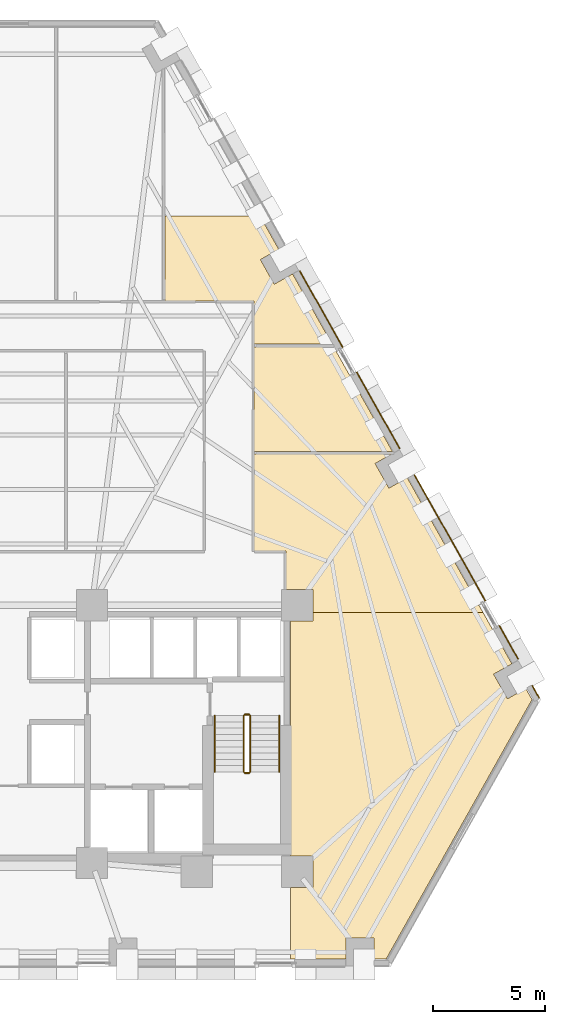
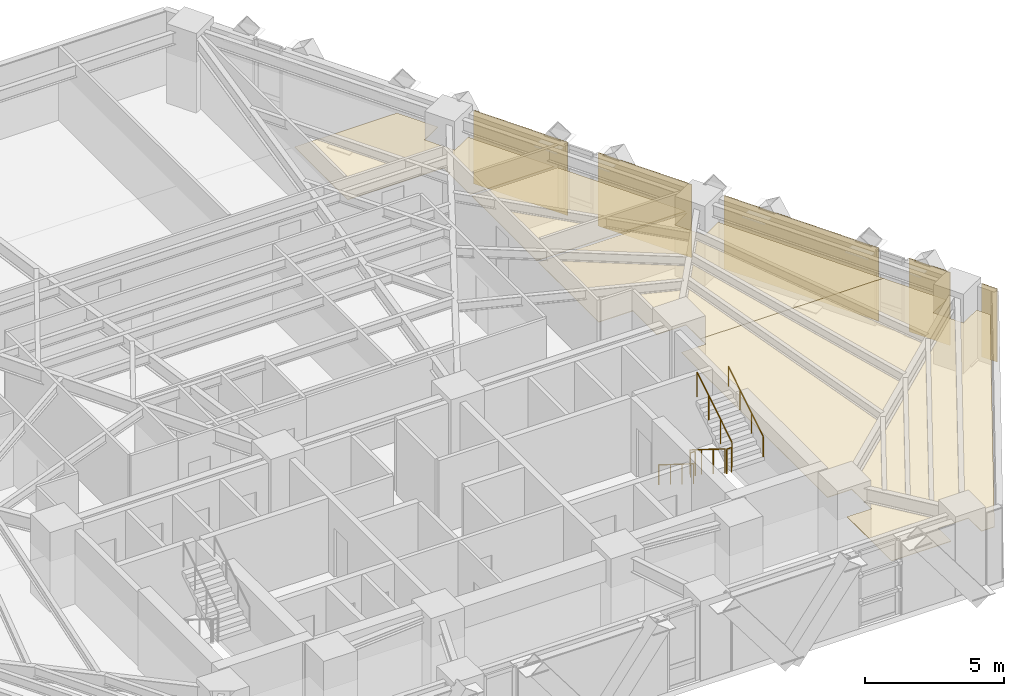
# One storey, part 12 of 13: 9 coverings, 6 railings.
"""IFC4 building model written with IfcOpenShell, lengths in metres."""

from ifc_helpers import new_model, si_unit, direction, frame, origin, origin_2d, place, context, subcontext, project, spatial, polyline, circle, outline, extrude, material, layer, layer_set, type_object, element, save


model = new_model("IFC4")

# Units and contexts
model_context = context("Model", 3, precision=1e-05, world=origin(), true_north=direction((0.0, 1.0)))
body_context = subcontext(model_context, "Body", "Model", "MODEL_VIEW")
ifc_project = project(units=[si_unit("LENGTHUNIT", "METRE"), si_unit("AREAUNIT", "SQUARE_METRE"), si_unit("VOLUMEUNIT", "CUBIC_METRE"), si_unit("PLANEANGLEUNIT", "RADIAN"), si_unit("MASSUNIT", "GRAM", prefix="KILO")], contexts=[model_context])

# Site, building, storey
site_placement = place(None, origin())
site = spatial("IfcSite", under=ifc_project, at=site_placement, CompositionType="ELEMENT")
building_placement = place(site_placement, origin())
building = spatial("IfcBuilding", under=site, at=building_placement, Name="Quenlor Broadcast Tower", CompositionType="ELEMENT")
storey_placement = place(building_placement, frame((0.0, 0.0, 59.10009765625)))
storey = spatial("IfcBuildingStorey", under=building, at=storey_placement, Name="L15", CompositionType="ELEMENT", Elevation=59.10009765625)

# Coverings
ifc_material_1 = material(Name="Acoustic Mineral Fibre Board", Category="other")
ifc_layer_1 = layer(ifc_material_1, 0.02490234375)
ifc_layer_set_1 = layer_set([ifc_layer_1], Name="Acoustic Perforated Mineral Tile Ceiling 25")
covering_type_1 = type_object("IfcCoveringType", Name="Acoustic Perforated Mineral Tile Ceiling 25", PredefinedType="CEILING", material=ifc_layer_set_1)
covering_1_placement = place(storey_placement, frame((0.0, 0.0, 2.224853515625)))
element("IfcCovering", 1, at=covering_1_placement, inside=storey, type_object=covering_type_1, Name="L15 Acoustic Ceiling L15-33", PredefinedType="CEILING", context=body_context, shape_type="SweptSolid", body=[
    extrude(outline(polyline([(7.02001953125, 8.830078125), (7.02001953125, 12.64990234375), (11.28173828125, 12.64990234375), (12.122802734375, 11.154541015625), (11.301025390625, 10.6923828125), (11.921630859375, 9.5888671875), (12.74365234375, 10.05126953125), (14.51611328125, 6.89990234375), (11.014892578125, 6.89990234375), (11.014892578125, 8.830078125), (7.02001953125, 8.830078125)])), origin(), (0.0, 0.0, 1.0), 0.025146484375),
])
covering_2_placement = place(storey_placement, frame((0.0, 0.0, 2.224853515625)))
element("IfcCovering", 2, at=covering_2_placement, inside=storey, type_object=covering_type_1, Name="L15 Acoustic Ceiling L15-34", PredefinedType="CEILING", context=body_context, shape_type="SweptSolid", body=[
    extrude(outline(polyline([(14.583740234375, 6.780029296875), (17.21630859375, 2.10009765625), (11.014892578125, 2.10009765625), (11.014892578125, 6.780029296875), (14.583740234375, 6.780029296875)])), origin(), (0.0, 0.0, 1.0), 0.025146484375),
])
covering_3_placement = place(storey_placement, frame((0.0, 0.0, 2.224853515625)))
element("IfcCovering", 3, at=covering_3_placement, inside=storey, type_object=covering_type_1, Name="L15 Acoustic Ceiling L15-38-2", PredefinedType="CEILING", context=body_context, shape_type="SweptSolid", body=[
    extrude(outline(polyline([(13.657958984375, -4.092041015625), (12.43994140625, -4.092041015625), (12.43994140625, -2.3701171875), (11.014892578125, -2.3701171875), (11.014892578125, 1.97998046875), (17.20068359375, 1.97998046875), (16.44189453125, 1.552978515625), (17.0625, 0.44970703125), (17.884521484375, 0.912109375), (21.27734375, -5.1201171875), (13.657958984375, -5.1201171875), (13.657958984375, -4.092041015625)])), origin(), (0.0, 0.0, 1.0), 0.025146484375),
])
covering_4_placement = place(storey_placement, frame((0.0, 0.0, 2.224853515625)))
element("IfcCovering", 4, at=covering_4_placement, inside=storey, type_object=covering_type_1, Name="L15 Acoustic Ceiling L15-38-4", PredefinedType="CEILING", context=body_context, shape_type="SweptSolid", body=[
    extrude(outline(polyline([(13.657958984375, -17.4580078125), (13.657958984375, -16.0419921875), (12.64990234375, -16.0419921875), (12.64990234375, -5.508056640625), (13.657958984375, -5.508056640625), (13.657958984375, -5.1201171875), (21.27734375, -5.1201171875), (22.575927734375, -7.428466796875), (21.754150390625, -7.890625), (22.374755859375, -8.994140625), (23.196533203125, -8.531982421875), (23.477783203125, -9.031982421875), (16.937255859375, -20.659912109375), (16.398193359375, -20.659912109375), (16.398193359375, -19.717041015625), (15.132080078125, -19.717041015625), (15.132080078125, -20.659912109375), (12.64990234375, -20.659912109375), (12.64990234375, -17.4580078125), (13.657958984375, -17.4580078125)])), origin(), (0.0, 0.0, 1.0), 0.025146484375),
])
ifc_material_2 = material(Name="Architectural Terracotta Ceramic", Category="masonry")
ifc_layer_2 = layer(ifc_material_2, 0.044921875)
ifc_layer_set_2 = layer_set([ifc_layer_2], Name="Fluted Terracotta Rainscreen Cladding Panel")
covering_type_2 = type_object("IfcCoveringType", Name="Fluted Terracotta Rainscreen Cladding Panel", PredefinedType="CLADDING", material=ifc_layer_set_2)
covering_5_placement = place(storey_placement, frame((0.0, 0.0, 0.02001953125)))
element("IfcCovering", 5, at=covering_5_placement, inside=storey, type_object=covering_type_2, Name="L15 Terracotta Rainscreen Cladding L15-SHD-NES1", PredefinedType="CLADDING", context=body_context, shape_type="SweptSolid", body=[
    extrude(outline(polyline([(23.464111328125, -8.412109375), (23.781982421875, -8.97705078125), (23.8212890625, -8.955078125), (23.50341796875, -8.39013671875), (23.464111328125, -8.412109375)])), origin(), (0.0, 0.0, 1.0), 3.2099609375),
])
covering_6_placement = place(storey_placement, frame((0.0, 0.0, 0.02001953125)))
element("IfcCovering", 6, at=covering_6_placement, inside=storey, type_object=covering_type_2, Name="L15 Terracotta Rainscreen Cladding L15-NEC-SP1", PredefinedType="CLADDING", context=body_context, shape_type="SweptSolid", body=[
    extrude(outline(polyline([(18.18798828125, 1.029052734375), (21.36669921875, -4.621826171875), (21.406005859375, -4.599853515625), (18.227294921875, 1.051025390625), (18.18798828125, 1.029052734375)])), origin(), (0.0, 0.0, 1.0), 3.2099609375),
])
covering_7_placement = place(storey_placement, frame((0.0, 0.0, 0.02001953125)))
element("IfcCovering", 7, at=covering_7_placement, inside=storey, type_object=covering_type_2, Name="L15 Terracotta Rainscreen Cladding L15-NEC-SP2", PredefinedType="CLADDING", context=body_context, shape_type="SweptSolid", body=[
    extrude(outline(polyline([(21.989013671875, -5.728271484375), (22.83349609375, -7.2294921875), (22.872802734375, -7.20751953125), (22.0283203125, -5.706298828125), (21.989013671875, -5.728271484375)])), origin(), (0.0, 0.0, 1.0), 3.2099609375),
])
covering_8_placement = place(storey_placement, frame((0.0, 0.0, 0.02001953125)))
element("IfcCovering", 8, at=covering_8_placement, inside=storey, type_object=covering_type_2, Name="L15 Terracotta Rainscreen Cladding L15-NE-SP1", PredefinedType="CLADDING", context=body_context, shape_type="SweptSolid", body=[
    extrude(outline(polyline([(13.044921875, 10.172607421875), (14.97314453125, 6.744384765625), (15.012451171875, 6.766357421875), (13.083984375, 10.194580078125), (13.044921875, 10.172607421875)])), origin(), (0.0, 0.0, 1.0), 3.2099609375),
])
covering_9_placement = place(storey_placement, frame((0.0, 0.0, 0.02001953125)))
element("IfcCovering", 9, at=covering_9_placement, inside=storey, type_object=covering_type_2, Name="L15 Terracotta Rainscreen Cladding L15-NE-SP2", PredefinedType="CLADDING", context=body_context, shape_type="SweptSolid", body=[
    extrude(outline(polyline([(15.595458984375, 5.63818359375), (17.523681640625, 2.2099609375), (17.56298828125, 2.23193359375), (15.634765625, 5.66015625), (15.595458984375, 5.63818359375)])), origin(), (0.0, 0.0, 1.0), 3.2099609375),
])

# Railings
ifc_material_3 = material(Name="Anodised Aluminium", Category="aluminium")
railing_type_1 = type_object("IfcRailingType", Name="Stainless Aluminium Wall Handrail 900", PredefinedType="HANDRAIL", material=ifc_material_3)
railing_1_placement = place(storey_placement, frame((9.25, -9.75, 0.1748046875)))
element("IfcRailing", 10, at=railing_1_placement, inside=storey, type_object=railing_type_1, Name="L15 ST-2 stair handrail 1", PredefinedType="HANDRAIL", context=body_context, shape_type="SweptSolid", body=[
    extrude(circle(Radius=0.02392578125, at=origin_2d()), frame((0.0, 0.0, 0.8759765625), z_axis=(0.0, -0.847970611238, 0.530043245855), x_axis=(1.0, 0.0, 0.0)), (0.0, 0.0, 1.0), 2.971923828125),
    extrude(circle(Radius=0.02099609375, at=origin_2d()), origin(), (0.0, 0.0, 1.0), 0.851806640625),
    extrude(circle(Radius=0.02099609375, at=origin_2d()), frame((0.0, -0.840087890625, 0.525146484375)), (0.0, 0.0, 1.0), 0.851806640625),
    extrude(circle(Radius=0.02099609375, at=origin_2d()), frame((0.0, -1.679931640625, 1.050048828125)), (0.0, 0.0, 1.0), 0.851806640625),
    extrude(circle(Radius=0.02099609375, at=origin_2d()), frame((0.0, -2.52001953125, 1.5751953125)), (0.0, 0.0, 1.0), 0.851806640625),
])
railing_2_placement = place(storey_placement, frame((12.14990234375, -12.27001953125, 1.9248046875)))
element("IfcRailing", 11, at=railing_2_placement, inside=storey, type_object=railing_type_1, Name="L15 ST-2 stair handrail 2", PredefinedType="HANDRAIL", context=body_context, shape_type="SweptSolid", body=[
    extrude(circle(Radius=0.02392578125, at=origin_2d()), frame((0.0, 0.0, 0.8759765625), z_axis=(0.0, 0.847970611238, 0.530043245855), x_axis=(-1.0, 0.0, 0.0)), (0.0, 0.0, 1.0), 2.971923828125),
    extrude(circle(Radius=0.02099609375, at=origin_2d()), origin(), (0.0, 0.0, 1.0), 0.851806640625),
    extrude(circle(Radius=0.02099609375, at=origin_2d()), frame((0.0, 0.840087890625, 0.525146484375)), (0.0, 0.0, 1.0), 0.851806640625),
    extrude(circle(Radius=0.02099609375, at=origin_2d()), frame((0.0, 1.679931640625, 1.050048828125)), (0.0, 0.0, 1.0), 0.851806640625),
    extrude(circle(Radius=0.02099609375, at=origin_2d()), frame((0.0, 2.52001953125, 1.5751953125)), (0.0, 0.0, 1.0), 0.851806640625),
])
ifc_material_4 = material(Name="Steel S355", Category="steel")
railing_type_2 = type_object("IfcRailingType", Name="Tubular Steel S355 Stair Guardrail 1100", PredefinedType="BALUSTRADE", material=ifc_material_4)
railing_3_placement = place(storey_placement, frame((10.550048828125, -9.75, 0.1748046875)))
element("IfcRailing", 12, at=railing_3_placement, inside=storey, type_object=railing_type_2, Name="L15 ST-2 stair guard 1", PredefinedType="BALUSTRADE", context=body_context, shape_type="SweptSolid", body=[
    extrude(circle(Radius=0.02392578125, at=origin_2d()), frame((0.0, 0.0, 1.076171875), z_axis=(0.0, -0.847970611238, 0.530043245855), x_axis=(1.0, 0.0, 0.0)), (0.0, 0.0, 1.0), 2.971923828125),
    extrude(circle(Radius=0.02099609375, at=origin_2d()), origin(), (0.0, 0.0, 1.0), 1.052001953125),
    extrude(circle(Radius=0.02099609375, at=origin_2d()), frame((0.0, -0.840087890625, 0.525146484375)), (0.0, 0.0, 1.0), 1.052001953125),
    extrude(circle(Radius=0.02099609375, at=origin_2d()), frame((0.0, -1.679931640625, 1.050048828125)), (0.0, 0.0, 1.0), 1.052001953125),
    extrude(circle(Radius=0.02099609375, at=origin_2d()), frame((0.0, -2.52001953125, 1.5751953125)), (0.0, 0.0, 1.0), 1.052001953125),
])
railing_4_placement = place(storey_placement, frame((10.60009765625, -12.320068359375, 1.75)))
element("IfcRailing", 13, at=railing_4_placement, inside=storey, type_object=railing_type_2, Name="L15 ST-2 stair guard 2", PredefinedType="BALUSTRADE", context=body_context, shape_type="SweptSolid", body=[
    extrude(circle(Radius=0.02392578125, at=origin_2d()), frame((0.0, 0.0, 1.076171875), z_axis=(1.0, 0.0, 0.0), x_axis=(0.0, 1.0, 0.0)), (0.0, 0.0, 1.0), 0.199951171875),
    extrude(circle(Radius=0.02099609375, at=origin_2d()), origin(), (0.0, 0.0, 1.0), 1.052001953125),
    extrude(circle(Radius=0.02099609375, at=origin_2d()), frame((0.199951171875, 0.0, 0.0)), (0.0, 0.0, 1.0), 1.052001953125),
])
railing_5_placement = place(storey_placement, frame((10.85009765625, -12.27001953125, 1.9248046875)))
element("IfcRailing", 14, at=railing_5_placement, inside=storey, type_object=railing_type_2, Name="L15 ST-2 stair guard 3", PredefinedType="BALUSTRADE", context=body_context, shape_type="SweptSolid", body=[
    extrude(circle(Radius=0.02392578125, at=origin_2d()), frame((0.0, 0.0, 1.076171875), z_axis=(0.0, 0.847970611238, 0.530043245855), x_axis=(-1.0, 0.0, 0.0)), (0.0, 0.0, 1.0), 2.971923828125),
    extrude(circle(Radius=0.02099609375, at=origin_2d()), origin(), (0.0, 0.0, 1.0), 1.052001953125),
    extrude(circle(Radius=0.02099609375, at=origin_2d()), frame((0.0, 0.840087890625, 0.525146484375)), (0.0, 0.0, 1.0), 1.052001953125),
    extrude(circle(Radius=0.02099609375, at=origin_2d()), frame((0.0, 1.679931640625, 1.050048828125)), (0.0, 0.0, 1.0), 1.052001953125),
    extrude(circle(Radius=0.02099609375, at=origin_2d()), frame((0.0, 2.52001953125, 1.5751953125)), (0.0, 0.0, 1.0), 1.052001953125),
])
railing_6_placement = place(storey_placement, frame((10.60009765625, -9.699951171875, 0.0)))
element("IfcRailing", 15, at=railing_6_placement, inside=storey, type_object=railing_type_2, Name="L15 ST-2 stair guard 4", PredefinedType="BALUSTRADE", context=body_context, shape_type="SweptSolid", body=[
    extrude(circle(Radius=0.02392578125, at=origin_2d()), frame((0.0, 0.0, 1.076171875), z_axis=(1.0, 0.0, 0.0), x_axis=(0.0, 1.0, 0.0)), (0.0, 0.0, 1.0), 0.199951171875),
    extrude(circle(Radius=0.02099609375, at=origin_2d()), origin(), (0.0, 0.0, 1.0), 1.052001953125),
    extrude(circle(Radius=0.02099609375, at=origin_2d()), frame((0.199951171875, 0.0, 0.0)), (0.0, 0.0, 1.0), 1.052001953125),
])

save(model, "model.ifc")
